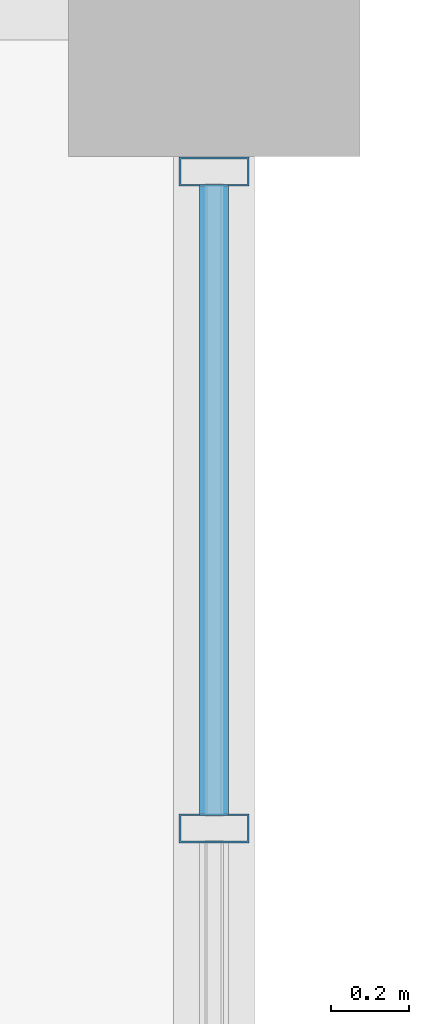
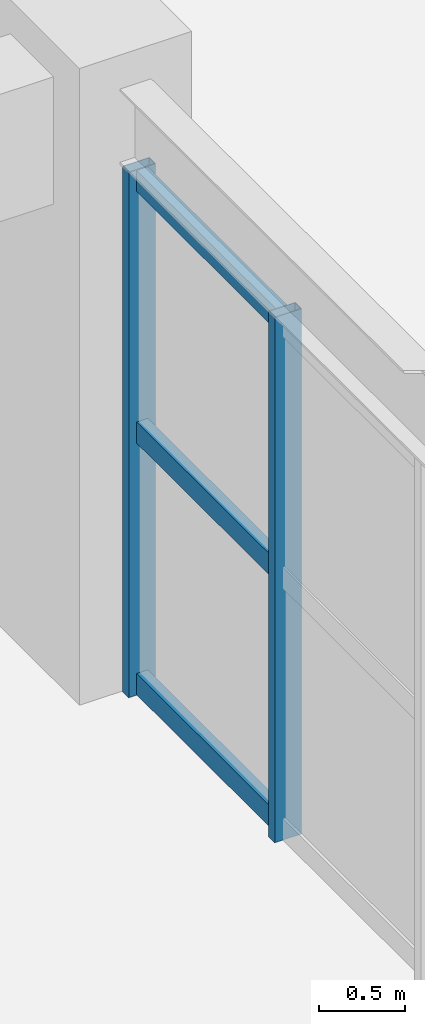
# One storey, part 29 of 80: 5 members, 1 element without a shape of its own.
"""IFC4 building model written with IfcOpenShell, lengths in metres."""

from ifc_helpers import new_model, si_unit, direction, frame, origin, origin_2d, place, context, subcontext, project, spatial, hollow_rectangle, extrude, material, layer, layer_set, material_profile, profile_set, type_object, element, aggregate, save


model = new_model("IFC4")

# Units and contexts
model_context = context("Model", 3, precision=1e-05, world=origin(), true_north=direction((0.0, 1.0)))
body_context = subcontext(model_context, "Body", "Model", "MODEL_VIEW")
ifc_project = project(units=[si_unit("LENGTHUNIT", "METRE"), si_unit("AREAUNIT", "SQUARE_METRE"), si_unit("VOLUMEUNIT", "CUBIC_METRE"), si_unit("PLANEANGLEUNIT", "RADIAN"), si_unit("MASSUNIT", "GRAM", prefix="KILO"), si_unit("POWERUNIT", "WATT"), si_unit("THERMODYNAMICTEMPERATUREUNIT", "KELVIN")], contexts=[model_context])

# Site, building, storey
site_placement = place(None, origin())
site = spatial("IfcSite", under=ifc_project, at=site_placement, CompositionType="ELEMENT")
building_placement = place(site_placement, origin())
building = spatial("IfcBuilding", under=site, at=building_placement, Name="Kelmbourne Parkland Aquatics Centre", CompositionType="ELEMENT")
storey_placement = place(building_placement, frame((0.0, 0.0, 10.199951171875)))
storey = spatial("IfcBuildingStorey", under=building, at=storey_placement, Name="L02", CompositionType="ELEMENT", Elevation=10.199951171875)

# Curtain wall, members
ifc_material = material(Name="Thermally broken anodised aluminium framing", Category="aluminium")
ifc_layer = layer(ifc_material, 0.179931640625)
ifc_layer_set = layer_set([ifc_layer], Name="Thermally broken anodised aluminium framing")
curtain_wall_type = type_object("IfcCurtainWallType", Name="CW-19", PredefinedType="NOTDEFINED", material=ifc_layer_set)
curtain_wall_placement = place(storey_placement, origin())
curtain_wall = element("IfcCurtainWall", 1, at=curtain_wall_placement, inside=storey, type_object=curtain_wall_type, Name="Facade curtain wall CW-L02-211", PredefinedType="NOTDEFINED")
ifc_material_profile_1 = material_profile(ifc_material, hollow_rectangle(XDim=0.074951171875, YDim=0.179931640625, WallThickness=0.00439453125, at=origin_2d()), Name="CW-M 75x180")
ifc_profile_set_1 = profile_set([ifc_material_profile_1], Name="Thermally broken anodised aluminium framing")
member_type_1 = type_object("IfcMemberType", Name="MB-MUL-2", PredefinedType="MULLION", material=ifc_profile_set_1)
member_1_placement = place(storey_placement, frame((128.0, 32.719482421875, 0.0), z_axis=(0.0, 0.0, 1.0), x_axis=(0.0, 1.0, 0.0)))
member_1 = element("IfcMember", 2, at=member_1_placement, type_object=member_type_1, Name="CW-L02-211 mullion 2", PredefinedType="MULLION", context=body_context, shape_type="SweptSolid", body=[
    extrude(hollow_rectangle(XDim=0.074951171875, YDim=0.179931640625, WallThickness=0.00439453125, at=origin_2d()), origin(), (0.0, 0.0, 1.0), 3.712158203125),
])
member_2_placement = place(storey_placement, frame((128.0, 34.410400390625, 0.0), z_axis=(0.0, 0.0, 1.0), x_axis=(0.0, 1.0, 0.0)))
member_2 = element("IfcMember", 3, at=member_2_placement, type_object=member_type_1, Name="CW-L02-211 mullion 3", PredefinedType="MULLION", context=body_context, shape_type="SweptSolid", body=[
    extrude(hollow_rectangle(XDim=0.074951171875, YDim=0.179931640625, WallThickness=0.00439453125, at=origin_2d()), origin(), (0.0, 0.0, 1.0), 3.712158203125),
])
ifc_material_profile_2 = material_profile(ifc_material, hollow_rectangle(XDim=0.074951171875, YDim=0.14990234375, WallThickness=0.00390625, at=origin_2d()), Name="CW-T 75x150")
ifc_profile_set_2 = profile_set([ifc_material_profile_2], Name="Thermally broken anodised aluminium framing")
member_type_2 = type_object("IfcMemberType", Name="MB-TRN-2", PredefinedType="USERDEFINED", material=ifc_profile_set_2)
member_3_placement = place(storey_placement, frame((128.0, 32.7529296875, 0.078125), z_axis=(0.0, 1.0, 0.0), x_axis=(-1.0, 0.0, 0.0)))
member_3 = element("IfcMember", 4, at=member_3_placement, type_object=member_type_2, Name="CW-L02-211 transom 0-2", ObjectType="TRANSOM", PredefinedType="USERDEFINED", context=body_context, shape_type="SweptSolid", body=[
    extrude(hollow_rectangle(XDim=0.074951171875, YDim=0.14990234375, WallThickness=0.00390625, at=origin_2d()), origin(), (0.0, 0.0, 1.0), 1.6240234375),
])
member_4_placement = place(storey_placement, frame((128.0, 32.7529296875, 1.85595703125), z_axis=(0.0, 1.0, 0.0), x_axis=(-1.0, 0.0, 0.0)))
member_4 = element("IfcMember", 5, at=member_4_placement, type_object=member_type_2, Name="CW-L02-211 transom 1-2", ObjectType="TRANSOM", PredefinedType="USERDEFINED", context=body_context, shape_type="SweptSolid", body=[
    extrude(hollow_rectangle(XDim=0.074951171875, YDim=0.14990234375, WallThickness=0.00390625, at=origin_2d()), origin(), (0.0, 0.0, 1.0), 1.6240234375),
])
member_5_placement = place(storey_placement, frame((128.0, 32.7529296875, 3.634033203125), z_axis=(0.0, 1.0, 0.0), x_axis=(-1.0, 0.0, 0.0)))
member_5 = element("IfcMember", 6, at=member_5_placement, type_object=member_type_2, Name="CW-L02-211 transom 2-2", ObjectType="TRANSOM", PredefinedType="USERDEFINED", context=body_context, shape_type="SweptSolid", body=[
    extrude(hollow_rectangle(XDim=0.074951171875, YDim=0.14990234375, WallThickness=0.00390625, at=origin_2d()), origin(), (0.0, 0.0, 1.0), 1.6240234375),
])
aggregate(curtain_wall, [member_1, member_2, member_3, member_4, member_5])

save(model, "model.ifc")
